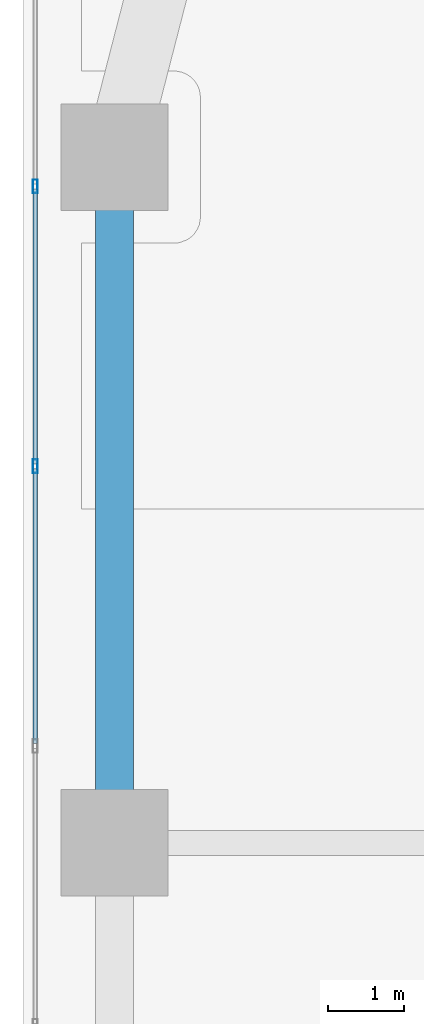
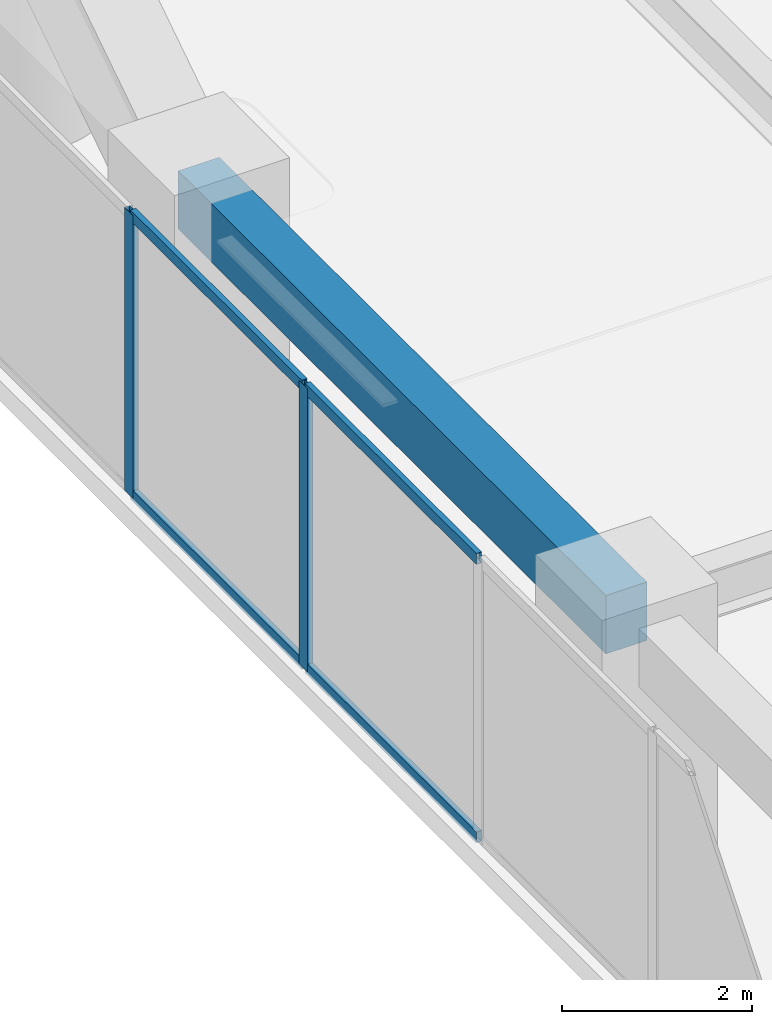
# One storey, part 9 of 24: 6 members, 1 beam, 1 element without a shape of its own.
"""IFC4 building model written with IfcOpenShell, lengths in metres."""

import ifcopenshell
import ifcopenshell.guid

model = None  # the IFC model being written
_history = None  # IfcOwnerHistory: only IFC2X3 demands one
_inside = {}  # id of a spatial element -> (the spatial element, [elements in it])
_under = {}  # id of a project, library or spatial element -> (it, [spatial elements below it])
_declared = {}  # id of a project -> (the project, [libraries it declares])
_typed = {}  # id of a type object -> (the type object, [elements of that type])
_made_of = {}  # id of a material, layer set ... -> (it, [elements and type objects made of it])


def new_model(schema):
    """Start an empty IFC model of exactly this schema.

    Asked for "IFC4X3", IfcOpenShell would pick the latest addendum, in which some entities
    have other attributes; the version numbers below select the first issue.
    IFC2X3 requires an IfcOwnerHistory on every rooted entity: one is made here for all.
    """
    global model, _history
    if schema == "IFC4X3":
        model = ifcopenshell.file(schema_version=(4, 3, 0, 0))
    else:
        model = ifcopenshell.file(schema=schema)
    _inside.clear()
    _under.clear()
    _declared.clear()
    _typed.clear()
    _made_of.clear()
    _history = None
    if model.schema == "IFC2X3":
        org = make("IfcOrganization", Name="unknown")
        user = make(
            "IfcPersonAndOrganization",
            ThePerson=make("IfcPerson", FamilyName="unknown"),
            TheOrganization=org,
        )
        app = make(
            "IfcApplication",
            ApplicationDeveloper=org,
            Version="unknown",
            ApplicationFullName="unknown",
            ApplicationIdentifier="unknown",
        )
        _history = make(
            "IfcOwnerHistory",
            OwningUser=user,
            OwningApplication=app,
            ChangeAction="ADDED",
            CreationDate=0,
        )
    return model


def make(cls, **values):
    """One entity of the class cls with the attributes given. An attribute that is None is left unset."""
    return model.create_entity(
        cls, **{name: value for name, value in values.items() if value is not None}
    )


def rooted(cls, **values):
    """An entity with a GlobalId (a new one), such as an element, a storey or a relation."""
    return make(cls, GlobalId=ifcopenshell.guid.new(), OwnerHistory=_history, **values)


def si_unit(unit_type, name, prefix=None):
    """IfcSIUnit, for example si_unit("LENGTHUNIT", "METRE", prefix="MILLI")."""
    return make("IfcSIUnit", UnitType=unit_type, Prefix=prefix, Name=name)


def assignment(units):
    """IfcUnitAssignment: the units of a project."""
    return None if units is None else make("IfcUnitAssignment", Units=units)


def point(xyz):
    """IfcCartesianPoint."""
    return None if xyz is None else make("IfcCartesianPoint", Coordinates=xyz)


def direction(xyz):
    """IfcDirection."""
    return None if xyz is None else make("IfcDirection", DirectionRatios=xyz)


def frame(location, z_axis=None, x_axis=None):
    """IfcAxis2Placement3D, a coordinate frame: its origin and axes. An axis left out is left unset."""
    return make(
        "IfcAxis2Placement3D",
        Location=point(location),
        Axis=direction(z_axis),
        RefDirection=direction(x_axis),
    )


def frame_2d(location, x_axis=None):
    """IfcAxis2Placement2D, a coordinate frame in the plane: its origin and x axis."""
    return make(
        "IfcAxis2Placement2D", Location=point(location), RefDirection=direction(x_axis)
    )


def origin():
    """The frame at (0, 0, 0) with its axes left unset."""
    return frame((0.0, 0.0, 0.0))


def origin_2d():
    """The frame at (0, 0) in the plane with its x axis left unset."""
    return frame_2d((0.0, 0.0))


def place(relative_to, where):
    """IfcLocalPlacement: puts the frame where relative to a parent placement (None: the world)."""
    return make(
        "IfcLocalPlacement", PlacementRelTo=relative_to, RelativePlacement=where
    )


def context(
    kind, dimensions, precision=None, world=None, true_north=None, identifier=None
):
    """IfcGeometricRepresentationContext, for example the 3D "Model" context."""
    return make(
        "IfcGeometricRepresentationContext",
        ContextIdentifier=identifier,
        ContextType=kind,
        CoordinateSpaceDimension=dimensions,
        Precision=precision,
        WorldCoordinateSystem=world,
        TrueNorth=true_north,
    )


def subcontext(parent, identifier, kind, view, scale=None):
    """IfcGeometricRepresentationSubContext, for example "Body" below "Model"."""
    return make(
        "IfcGeometricRepresentationSubContext",
        ContextIdentifier=identifier,
        ContextType=kind,
        ParentContext=parent,
        TargetScale=scale,
        TargetView=view,
    )


def project(units=None, contexts=None):
    """IfcProject with its units and contexts."""
    return rooted(
        "IfcProject",
        Name="project",
        RepresentationContexts=contexts,
        UnitsInContext=assignment(units),
    )


def spatial(cls, under=None, at=None, **own):
    """A site, building, storey or space (cls), placed at a placement, below another one or the project."""
    s = rooted(cls, ObjectPlacement=at, **own)
    if under is not None:
        _under.setdefault(under.id(), (under, []))[1].append(s)
    return s


def profile(cls, at=None, kind="AREA", **sizes):
    """A parametric profile (cls). Its sizes go by their IFC names, for example OverallWidth=200.0."""
    return make(cls, ProfileType=kind, Position=at, **sizes)


def rectangle(**sizes):
    """IfcRectangleProfileDef."""
    return profile("IfcRectangleProfileDef", **sizes)


def hollow_rectangle(**sizes):
    """IfcRectangleHollowProfileDef."""
    return profile("IfcRectangleHollowProfileDef", **sizes)


def extrude(swept, where, along, depth):
    """IfcExtrudedAreaSolid: the profile swept, set in the frame where, extruded along a direction by depth."""
    return make(
        "IfcExtrudedAreaSolid",
        SweptArea=swept,
        Position=where,
        ExtrudedDirection=direction(along),
        Depth=depth,
    )


def shape(context_of_items, identifier, shape_type, items):
    """IfcShapeRepresentation: the items that make up one representation, for example the "Body"."""
    return make(
        "IfcShapeRepresentation",
        ContextOfItems=context_of_items,
        RepresentationIdentifier=identifier,
        RepresentationType=shape_type,
        Items=items,
    )


def material(Name=None, Category=None):
    """IfcMaterial."""
    return make("IfcMaterial", Name=Name, Category=Category)


def layer(
    of_material, thickness, ventilated=None, Name=None, Category=None, Priority=None
):
    """IfcMaterialLayer: one layer of a wall or slab, of a material (None: an air gap)."""
    return make(
        "IfcMaterialLayer",
        Material=of_material,
        LayerThickness=thickness,
        IsVentilated=ventilated,
        Name=Name,
        Category=Category,
        Priority=Priority,
    )


def layer_set(layers, Name=None):
    """IfcMaterialLayerSet."""
    return make("IfcMaterialLayerSet", MaterialLayers=layers, LayerSetName=Name)


def material_profile(
    of_material, cross_section, Name=None, Category=None, Priority=None
):
    """IfcMaterialProfile: a cross section and its material."""
    return make(
        "IfcMaterialProfile",
        Name=Name,
        Material=of_material,
        Profile=cross_section,
        Priority=Priority,
        Category=Category,
    )


def profile_set(profiles, Name=None, composite=None):
    """IfcMaterialProfileSet."""
    return make(
        "IfcMaterialProfileSet",
        Name=Name,
        MaterialProfiles=profiles,
        CompositeProfile=composite,
    )


def made_of(thing, what):
    """Note that an element or type object is made of a material, layer set ...; save() writes the relation."""
    if what is not None:
        _made_of.setdefault(what.id(), (what, []))[1].append(thing)
    return thing


def type_object(cls, material=None, **own):
    """A type object (cls), such as IfcWallType, which elements share."""
    return made_of(rooted(cls, **own), material)


def element(
    cls,
    number,
    at=None,
    inside=None,
    cuts=None,
    type_object=None,
    material=None,
    context=None,
    identifier="Body",
    shape_type=None,
    held_by="IfcProductDefinitionShape",
    body=None,
    shapes=None,
    **own,
):
    """One element of the class cls, such as IfcWall. Its Tag is "e" and its number.

    at: its placement. inside: the storey or other place that contains it. cuts: it is an
    opening in that element (IfcRelVoidsElement). A single representation is given by context,
    identifier, shape_type and body (its items); several are given by shapes. held_by: the class
    of the entity that holds the representations. save() writes the other relations.
    """
    e = rooted(cls, Tag="e%d" % number, ObjectPlacement=at, **own)
    if body is not None:
        shapes = [shape(context, identifier, shape_type, body)]
    if shapes is not None:
        e.Representation = make(held_by, Representations=shapes)
    if inside is not None:
        _inside.setdefault(inside.id(), (inside, []))[1].append(e)
    if cuts is not None:
        rooted(
            "IfcRelVoidsElement", RelatingBuildingElement=cuts, RelatedOpeningElement=e
        )
    if type_object is not None:
        _typed.setdefault(type_object.id(), (type_object, []))[1].append(e)
    return made_of(e, material)


def aggregate(whole, parts):
    """IfcRelAggregates: a whole, such as a stair, and the parts it consists of."""
    return rooted("IfcRelAggregates", RelatingObject=whole, RelatedObjects=parts)


def save(model, path):
    """Write the relations noted so far, then the file.

    IfcRelAggregates (storeys below a building ...), IfcRelContainedInSpatialStructure (elements
    in a storey), IfcRelDefinesByType, IfcRelAssociatesMaterial and IfcRelDeclares: one each for
    every whole, place, type object, material and project.
    """
    for whole, parts in _under.values():
        aggregate(whole, parts)
    for where, things in _inside.values():
        rooted(
            "IfcRelContainedInSpatialStructure",
            RelatedElements=things,
            RelatingStructure=where,
        )
    for kind, things in _typed.values():
        rooted("IfcRelDefinesByType", RelatedObjects=things, RelatingType=kind)
    for what, things in _made_of.values():
        rooted("IfcRelAssociatesMaterial", RelatedObjects=things, RelatingMaterial=what)
    for by, libraries in _declared.values():
        rooted("IfcRelDeclares", RelatingContext=by, RelatedDefinitions=libraries)
    model.write(path)


model = new_model("IFC4")

# Units and contexts
model_context = context("Model", 3, precision=1e-05, world=origin(), true_north=direction((0.0, 1.0)))
body_context = subcontext(model_context, "Body", "Model", "MODEL_VIEW")
ifc_project = project(units=[si_unit("LENGTHUNIT", "METRE"), si_unit("AREAUNIT", "SQUARE_METRE"), si_unit("VOLUMEUNIT", "CUBIC_METRE"), si_unit("PLANEANGLEUNIT", "RADIAN"), si_unit("MASSUNIT", "GRAM", prefix="KILO")], contexts=[model_context])

# Site, building, storey
site_placement = place(None, origin())
site = spatial("IfcSite", under=ifc_project, at=site_placement, CompositionType="ELEMENT")
building_placement = place(site_placement, origin())
building = spatial("IfcBuilding", under=site, at=building_placement, Name="Kiyonajd Concourse Tower", CompositionType="ELEMENT")
storey_placement = place(building_placement, frame((0.0, 0.0, 129.89990234375)))
storey = spatial("IfcBuildingStorey", under=building, at=storey_placement, Name="L33", CompositionType="ELEMENT", Elevation=129.89990234375)

# Beam
ifc_material_1 = material(Name="Precast concrete C50/60", Category="concrete")
ifc_material_profile_1 = material_profile(ifc_material_1, rectangle(XDim=0.5, YDim=0.75, at=origin_2d()), Name="RCBM-500x750")
ifc_profile_set_1 = profile_set([ifc_material_profile_1], Name="Precast concrete C50/60")
beam_type = type_object("IfcBeamType", Name="BM-SPAN-RC", PredefinedType="SPANDREL", material=ifc_profile_set_1)
beam_placement = place(storey_placement, frame((19.199951171875, 53.39990234375, 3.26513671875), z_axis=(0.0, -1.0, 0.0), x_axis=(1.0, 0.0, 0.0)))
element("IfcBeam", 1, at=beam_placement, inside=storey, type_object=beam_type, Name="L33 Perimeter Bundled Tube Spandrel", PredefinedType="SPANDREL", context=body_context, shape_type="SweptSolid", body=[
    extrude(rectangle(XDim=0.5, YDim=0.75, at=origin_2d()), origin(), (0.0, 0.0, 1.0), 9.0),
])

# Curtain wall, members
ifc_material_2 = material(Name="Thermally Broken Anodised Aluminium", Category="aluminium")
ifc_layer = layer(ifc_material_2, 0.179931640625)
ifc_layer_set = layer_set([ifc_layer], Name="Thermally Broken Anodised Aluminium")
curtain_wall_type = type_object("IfcCurtainWallType", Name="CW-SYS-03", PredefinedType="NOTDEFINED", material=ifc_layer_set)
curtain_wall_placement = place(storey_placement, origin())
curtain_wall = element("IfcCurtainWall", 2, at=curtain_wall_placement, inside=storey, type_object=curtain_wall_type, Name="L33 Unitised Curtain Wall CW3", PredefinedType="NOTDEFINED")
ifc_material_profile_2 = material_profile(ifc_material_2, hollow_rectangle(XDim=0.06494140625, YDim=0.179931640625, WallThickness=0.00390625, at=origin_2d()), Name="MULL-65x180")
ifc_profile_set_2 = profile_set([ifc_material_profile_2], Name="Thermally Broken Anodised Aluminium")
member_type_1 = type_object("IfcMemberType", Name="MB-CW-MULL1", PredefinedType="MULLION", material=ifc_profile_set_2)
member_1_placement = place(storey_placement, frame((18.159912109375, 49.342529296875, 0.0), z_axis=(0.0, 0.0, 1.0), x_axis=(-1.0, 0.0, 0.0)))
member_1 = element("IfcMember", 3, at=member_1_placement, type_object=member_type_1, Name="CW3 mullion 5", PredefinedType="MULLION", context=body_context, shape_type="SweptSolid", body=[
    extrude(hollow_rectangle(XDim=0.06494140625, YDim=0.179931640625, WallThickness=0.00390625, at=origin_2d()), origin(), (0.0, 0.0, 1.0), 3.64013671875),
])
member_2_placement = place(storey_placement, frame((18.159912109375, 53.015869140625, 0.0), z_axis=(0.0, 0.0, 1.0), x_axis=(-1.0, 0.0, 0.0)))
member_2 = element("IfcMember", 4, at=member_2_placement, type_object=member_type_1, Name="CW3 mullion 6", PredefinedType="MULLION", context=body_context, shape_type="SweptSolid", body=[
    extrude(hollow_rectangle(XDim=0.06494140625, YDim=0.179931640625, WallThickness=0.00390625, at=origin_2d()), origin(), (0.0, 0.0, 1.0), 3.64013671875),
])
ifc_material_profile_3 = material_profile(ifc_material_2, hollow_rectangle(XDim=0.06494140625, YDim=0.139892578125, WallThickness=0.00390625, at=origin_2d()), Name="TRAN-65x140")
ifc_profile_set_3 = profile_set([ifc_material_profile_3], Name="Thermally Broken Anodised Aluminium")
member_type_2 = type_object("IfcMemberType", Name="MB-CW-TRAN1", PredefinedType="USERDEFINED", material=ifc_profile_set_3)
member_3_placement = place(storey_placement, frame((18.159912109375, 45.701904296875, 0.03271484375), z_axis=(0.0, 1.0, 0.0), x_axis=(-1.0, 0.0, 0.0)))
member_3 = element("IfcMember", 5, at=member_3_placement, type_object=member_type_2, Name="CW3 transom 4.1", ObjectType="TRANSOM", PredefinedType="USERDEFINED", context=body_context, shape_type="SweptSolid", body=[
    extrude(hollow_rectangle(XDim=0.06494140625, YDim=0.139892578125, WallThickness=0.00390625, at=origin_2d()), origin(), (0.0, 0.0, 1.0), 3.608154296875),
])
member_4_placement = place(storey_placement, frame((18.159912109375, 45.701904296875, 3.607666015625), z_axis=(0.0, 1.0, 0.0), x_axis=(-1.0, 0.0, 0.0)))
member_4 = element("IfcMember", 6, at=member_4_placement, type_object=member_type_2, Name="CW3 transom 4.2", ObjectType="TRANSOM", PredefinedType="USERDEFINED", context=body_context, shape_type="SweptSolid", body=[
    extrude(hollow_rectangle(XDim=0.06494140625, YDim=0.139892578125, WallThickness=0.00390625, at=origin_2d()), origin(), (0.0, 0.0, 1.0), 3.608154296875),
])
member_5_placement = place(storey_placement, frame((18.159912109375, 49.375, 0.03271484375), z_axis=(0.0, 1.0, 0.0), x_axis=(-1.0, 0.0, 0.0)))
member_5 = element("IfcMember", 7, at=member_5_placement, type_object=member_type_2, Name="CW3 transom 5.1", ObjectType="TRANSOM", PredefinedType="USERDEFINED", context=body_context, shape_type="SweptSolid", body=[
    extrude(hollow_rectangle(XDim=0.06494140625, YDim=0.139892578125, WallThickness=0.00390625, at=origin_2d()), origin(), (0.0, 0.0, 1.0), 3.608154296875),
])
member_6_placement = place(storey_placement, frame((18.159912109375, 49.375, 3.607666015625), z_axis=(0.0, 1.0, 0.0), x_axis=(-1.0, 0.0, 0.0)))
member_6 = element("IfcMember", 8, at=member_6_placement, type_object=member_type_2, Name="CW3 transom 5.2", ObjectType="TRANSOM", PredefinedType="USERDEFINED", context=body_context, shape_type="SweptSolid", body=[
    extrude(hollow_rectangle(XDim=0.06494140625, YDim=0.139892578125, WallThickness=0.00390625, at=origin_2d()), origin(), (0.0, 0.0, 1.0), 3.608154296875),
])
aggregate(curtain_wall, [member_1, member_2, member_3, member_4, member_5, member_6])

save(model, "model.ifc")
